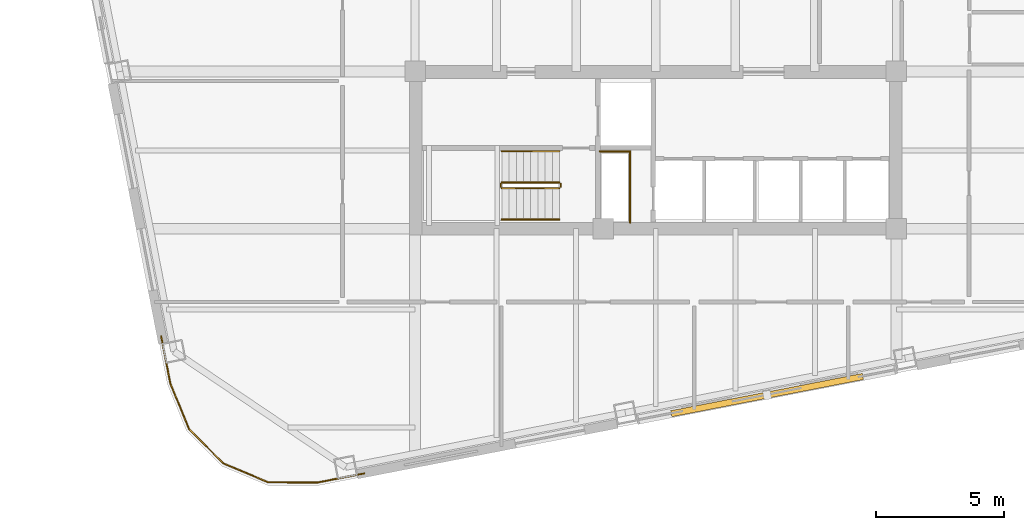
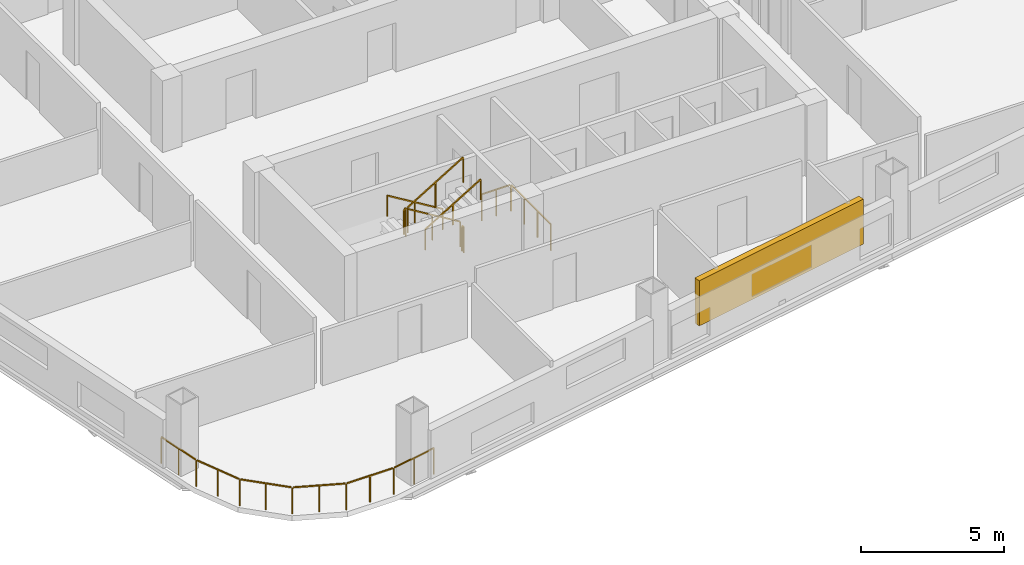
# One storey, part 7 of 9: 8 railings, 1 shading device.
"""IFC4 building model written with IfcOpenShell, lengths in metres."""

from ifc_helpers import new_model, si_unit, direction, frame, origin, origin_2d, place, context, subcontext, project, spatial, rectangle, extrude, material, type_object, element, save


model = new_model("IFC4")

# Units and contexts
model_context = context("Model", 3, precision=1e-05, world=origin(), true_north=direction((0.0, 1.0)))
body_context = subcontext(model_context, "Body", "Model", "MODEL_VIEW")
ifc_project = project(units=[si_unit("LENGTHUNIT", "METRE"), si_unit("AREAUNIT", "SQUARE_METRE"), si_unit("VOLUMEUNIT", "CUBIC_METRE"), si_unit("PLANEANGLEUNIT", "RADIAN"), si_unit("MASSUNIT", "GRAM", prefix="KILO")], contexts=[model_context])

# Site, building, storey
site_placement = place(None, origin())
site = spatial("IfcSite", under=ifc_project, at=site_placement, CompositionType="ELEMENT")
building_placement = place(site_placement, origin())
building = spatial("IfcBuilding", under=site, at=building_placement, Name="Qhalaya Broadcast Tower", CompositionType="ELEMENT")
storey_placement = place(building_placement, frame((0.0, 0.0, 134.14990234375)))
storey = spatial("IfcBuildingStorey", under=building, at=storey_placement, Name="L39", CompositionType="ELEMENT", Elevation=134.14990234375)

# Railings
ifc_material_1 = material(Name="Powder-Coated Galvanised Steel", Category="steel")
railing_type_1 = type_object("IfcRailingType", Name="Stair Wall Handrail 900", PredefinedType="HANDRAIL", material=ifc_material_1)
railing_1_placement = place(storey_placement, frame((-3.75, -5.72998046875, 0.16943359375)))
element("IfcRailing", 1, at=railing_1_placement, inside=storey, type_object=railing_type_1, Name="L39 ST-2 Stair Handrail 1", PredefinedType="HANDRAIL", context=body_context, shape_type="SweptSolid", body=[
    extrude(rectangle(XDim=0.048095703125, YDim=0.048095703125, at=origin_2d()), frame((0.0, 0.0, 0.8759765625), z_axis=(-0.855512035549, 0.0, 0.517782924622), x_axis=(0.0, -1.0, 0.0)), (0.0, 0.0, 1.0), 2.618408203125),
    extrude(rectangle(XDim=0.0419921875, YDim=0.0419921875, at=origin_2d()), origin(), (0.0, 0.0, 1.0), 0.849853515625),
    extrude(rectangle(XDim=0.0419921875, YDim=0.0419921875, at=origin_2d()), frame((-1.1201171875, 0.0, 0.677734375)), (0.0, 0.0, 1.0), 0.849853515625),
    extrude(rectangle(XDim=0.0419921875, YDim=0.0419921875, at=origin_2d()), frame((-2.239990234375, 0.0, 1.355712890625)), (0.0, 0.0, 1.0), 0.849853515625),
])
railing_2_placement = place(storey_placement, frame((-5.989990234375, -8.389892578125, 1.694580078125)))
element("IfcRailing", 2, at=railing_2_placement, inside=storey, type_object=railing_type_1, Name="L39 ST-2 Stair Handrail 2", PredefinedType="HANDRAIL", context=body_context, shape_type="SweptSolid", body=[
    extrude(rectangle(XDim=0.048095703125, YDim=0.048095703125, at=origin_2d()), frame((0.0, 0.0, 0.8759765625), z_axis=(0.855553338991, 0.0, 0.51771467445), x_axis=(0.0, 1.0, 0.0)), (0.0, 0.0, 1.0), 2.6181640625),
    extrude(rectangle(XDim=0.0419921875, YDim=0.0419921875, at=origin_2d()), origin(), (0.0, 0.0, 1.0), 0.849853515625),
    extrude(rectangle(XDim=0.0419921875, YDim=0.0419921875, at=origin_2d()), frame((1.1201171875, 0.0, 0.677734375)), (0.0, 0.0, 1.0), 0.849853515625),
    extrude(rectangle(XDim=0.0419921875, YDim=0.0419921875, at=origin_2d()), frame((2.239990234375, 0.0, 1.35546875)), (0.0, 0.0, 1.0), 0.849853515625),
])
railing_type_2 = type_object("IfcRailingType", Name="Stair Well & Landing Guardrail 1100", PredefinedType="GUARDRAIL", material=ifc_material_1)
railing_3_placement = place(storey_placement, frame((-1.0, -8.52001953125, 0.0)))
element("IfcRailing", 3, at=railing_3_placement, inside=storey, type_object=railing_type_2, Name="L39 Service Riser Opening Safety Guard SRSR", PredefinedType="GUARDRAIL", context=body_context, shape_type="SweptSolid", body=[
    extrude(rectangle(XDim=0.048095703125, YDim=0.048095703125, at=origin_2d()), frame((0.0, 0.0, 1.1259765625), z_axis=(0.0, 1.0, 0.0), x_axis=(-1.0, 0.0, 0.0)), (0.0, 0.0, 1.0), 2.751220703125),
    extrude(rectangle(XDim=0.048095703125, YDim=0.048095703125, at=origin_2d()), frame((-0.02880859375, 2.780029296875, 1.1259765625), z_axis=(-1.0, 0.0, 0.0), x_axis=(0.0, -1.0, 0.0)), (0.0, 0.0, 1.0), 1.151123046875),
    extrude(rectangle(XDim=0.0419921875, YDim=0.0419921875, at=origin_2d()), origin(), (0.0, 0.0, 1.0), 1.099853515625),
    extrude(rectangle(XDim=0.0419921875, YDim=0.0419921875, at=origin_2d()), frame((0.0, 0.9267578125, 0.0)), (0.0, 0.0, 1.0), 1.099853515625),
    extrude(rectangle(XDim=0.0419921875, YDim=0.0419921875, at=origin_2d()), frame((0.0, 1.853271484375, 0.0)), (0.0, 0.0, 1.0), 1.099853515625),
    extrude(rectangle(XDim=0.0419921875, YDim=0.0419921875, at=origin_2d()), frame((0.0, 2.780029296875, 0.0)), (0.0, 0.0, 1.0), 1.099853515625),
    extrude(rectangle(XDim=0.0419921875, YDim=0.0419921875, at=origin_2d()), frame((-0.58984375, 2.780029296875, 0.0)), (0.0, 0.0, 1.0), 1.099853515625),
    extrude(rectangle(XDim=0.0419921875, YDim=0.0419921875, at=origin_2d()), frame((-1.179931640625, 2.780029296875, 0.0)), (0.0, 0.0, 1.0), 1.099853515625),
])
railing_4_placement = place(storey_placement, frame((-3.75, -6.949951171875, 0.16943359375)))
element("IfcRailing", 4, at=railing_4_placement, inside=storey, type_object=railing_type_2, Name="L39 ST-2 Stair Guard 1", PredefinedType="GUARDRAIL", context=body_context, shape_type="SweptSolid", body=[
    extrude(rectangle(XDim=0.048095703125, YDim=0.048095703125, at=origin_2d()), frame((0.0, 0.0, 1.076171875), z_axis=(-0.855512035549, 0.0, 0.517782924622), x_axis=(0.0, -1.0, 0.0)), (0.0, 0.0, 1.0), 2.618408203125),
    extrude(rectangle(XDim=0.0419921875, YDim=0.0419921875, at=origin_2d()), origin(), (0.0, 0.0, 1.0), 1.050048828125),
    extrude(rectangle(XDim=0.0419921875, YDim=0.0419921875, at=origin_2d()), frame((-1.1201171875, 0.0, 0.677734375)), (0.0, 0.0, 1.0), 1.050048828125),
    extrude(rectangle(XDim=0.0419921875, YDim=0.0419921875, at=origin_2d()), frame((-2.239990234375, 0.0, 1.355712890625)), (0.0, 0.0, 1.0), 1.050048828125),
])
railing_5_placement = place(storey_placement, frame((-6.0400390625, -7.0, 1.525146484375)))
element("IfcRailing", 5, at=railing_5_placement, inside=storey, type_object=railing_type_2, Name="L39 ST-2 Stair Guard 2", PredefinedType="GUARDRAIL", context=body_context, shape_type="SweptSolid", body=[
    extrude(rectangle(XDim=0.048095703125, YDim=0.048095703125, at=origin_2d()), frame((0.0, 0.0, 1.076171875), z_axis=(0.0, -1.0, 0.0), x_axis=(1.0, 0.0, 0.0)), (0.0, 0.0, 1.0), 0.1201171875),
    extrude(rectangle(XDim=0.0419921875, YDim=0.0419921875, at=origin_2d()), origin(), (0.0, 0.0, 1.0), 1.050048828125),
    extrude(rectangle(XDim=0.0419921875, YDim=0.0419921875, at=origin_2d()), frame((0.0, -0.1201171875, 0.0)), (0.0, 0.0, 1.0), 1.050048828125),
])
railing_6_placement = place(storey_placement, frame((-5.989990234375, -7.169921875, 1.694580078125)))
element("IfcRailing", 6, at=railing_6_placement, inside=storey, type_object=railing_type_2, Name="L39 ST-2 Stair Guard 3", PredefinedType="GUARDRAIL", context=body_context, shape_type="SweptSolid", body=[
    extrude(rectangle(XDim=0.048095703125, YDim=0.048095703125, at=origin_2d()), frame((0.0, 0.0, 1.076171875), z_axis=(0.855553338991, 0.0, 0.51771467445), x_axis=(0.0, 1.0, 0.0)), (0.0, 0.0, 1.0), 2.6181640625),
    extrude(rectangle(XDim=0.0419921875, YDim=0.0419921875, at=origin_2d()), origin(), (0.0, 0.0, 1.0), 1.050048828125),
    extrude(rectangle(XDim=0.0419921875, YDim=0.0419921875, at=origin_2d()), frame((1.1201171875, 0.0, 0.677734375)), (0.0, 0.0, 1.0), 1.050048828125),
    extrude(rectangle(XDim=0.0419921875, YDim=0.0419921875, at=origin_2d()), frame((2.239990234375, 0.0, 1.35546875)), (0.0, 0.0, 1.0), 1.050048828125),
])
railing_7_placement = place(storey_placement, frame((-3.699951171875, -7.0, 0.0)))
element("IfcRailing", 7, at=railing_7_placement, inside=storey, type_object=railing_type_2, Name="L39 ST-2 Stair Guard 4", PredefinedType="GUARDRAIL", context=body_context, shape_type="SweptSolid", body=[
    extrude(rectangle(XDim=0.048095703125, YDim=0.048095703125, at=origin_2d()), frame((0.0, 0.0, 1.076171875), z_axis=(0.0, -1.0, 0.0), x_axis=(1.0, 0.0, 0.0)), (0.0, 0.0, 1.0), 0.1201171875),
    extrude(rectangle(XDim=0.0419921875, YDim=0.0419921875, at=origin_2d()), origin(), (0.0, 0.0, 1.0), 1.050048828125),
    extrude(rectangle(XDim=0.0419921875, YDim=0.0419921875, at=origin_2d()), frame((0.0, -0.1201171875, 0.0)), (0.0, 0.0, 1.0), 1.050048828125),
])
railing_type_3 = type_object("IfcRailingType", Name="Terrace, Sky-Pool & Lookout Glass Balustrade 1150", PredefinedType="BALUSTRADE", material=ifc_material_1)
railing_8_placement = place(storey_placement, frame((-11.351318359375, -18.281982421875, 0.0)))
element("IfcRailing", 8, at=railing_8_placement, inside=storey, type_object=railing_type_3, Name="L39 Rounded Corner Perimeter Guard 02", PredefinedType="BALUSTRADE", context=body_context, shape_type="SweptSolid", body=[
    extrude(rectangle(XDim=0.048095703125, YDim=0.048095703125, at=origin_2d()), frame((0.0, 0.0, 1.1259765625), z_axis=(-0.981643446311, -0.190725311155, 0.0), x_axis=(0.190725311155, -0.981643446311, 0.0)), (0.0, 0.0, 1.0), 1.8271484375),
    extrude(rectangle(XDim=0.048095703125, YDim=0.048095703125, at=origin_2d()), frame((-1.850830078125, -0.353759765625, 1.1259765625), z_axis=(-0.999990606087, 0.004334482484, 0.0), x_axis=(-0.004334482484, -0.999990606087, 0.0)), (0.0, 0.0, 1.0), 1.857421875),
    extrude(rectangle(XDim=0.048095703125, YDim=0.048095703125, at=origin_2d()), frame((-3.763671875, -0.33447265625, 1.1259765625), z_axis=(-0.922247496545, 0.386599993684, 0.0), x_axis=(-0.386599993684, -0.922247496545, 0.0)), (0.0, 0.0, 1.0), 1.845703125),
    extrude(rectangle(XDim=0.048095703125, YDim=0.048095703125, at=origin_2d()), frame((-5.5126953125, 0.41064453125, 1.1259765625), z_axis=(-0.704021268228, 0.710178888649, 0.0), x_axis=(-0.710178888649, -0.704021268228, 0.0)), (0.0, 0.0, 1.0), 1.845458984375),
    extrude(rectangle(XDim=0.048095703125, YDim=0.048095703125, at=origin_2d()), frame((-6.84326171875, 1.768310546875, 1.1259765625), z_axis=(-0.378588174109, 0.925565229698, 0.0), x_axis=(-0.925565229698, -0.378588174109, 0.0)), (0.0, 0.0, 1.0), 1.857666015625),
    extrude(rectangle(XDim=0.048095703125, YDim=0.048095703125, at=origin_2d()), frame((-7.56298828125, 3.542724609375, 1.1259765625), z_axis=(-0.190725311155, 0.981643446311, 0.0), x_axis=(-0.981643446311, -0.190725311155, 0.0)), (0.0, 0.0, 1.0), 1.8271484375),
    extrude(rectangle(XDim=0.0419921875, YDim=0.0419921875, at=origin_2d()), origin(), (0.0, 0.0, 1.0), 1.099853515625),
    extrude(rectangle(XDim=0.0419921875, YDim=0.0419921875, at=origin_2d()), frame((-0.9111328125, -0.177001953125, 0.0)), (0.0, 0.0, 1.0), 1.099853515625),
    extrude(rectangle(XDim=0.0419921875, YDim=0.0419921875, at=origin_2d()), frame((-1.822021484375, -0.35400390625, 0.0)), (0.0, 0.0, 1.0), 1.099853515625),
    extrude(rectangle(XDim=0.0419921875, YDim=0.0419921875, at=origin_2d()), frame((-2.779541015625, -0.349853515625, 0.0)), (0.0, 0.0, 1.0), 1.099853515625),
    extrude(rectangle(XDim=0.0419921875, YDim=0.0419921875, at=origin_2d()), frame((-3.737060546875, -0.345703125, 0.0)), (0.0, 0.0, 1.0), 1.099853515625),
    extrude(rectangle(XDim=0.0419921875, YDim=0.0419921875, at=origin_2d()), frame((-4.61474609375, 0.022216796875, 0.0)), (0.0, 0.0, 1.0), 1.099853515625),
    extrude(rectangle(XDim=0.0419921875, YDim=0.0419921875, at=origin_2d()), frame((-5.492431640625, 0.39013671875, 0.0)), (0.0, 0.0, 1.0), 1.099853515625),
    extrude(rectangle(XDim=0.0419921875, YDim=0.0419921875, at=origin_2d()), frame((-6.162353515625, 1.06591796875, 0.0)), (0.0, 0.0, 1.0), 1.099853515625),
    extrude(rectangle(XDim=0.0419921875, YDim=0.0419921875, at=origin_2d()), frame((-6.832275390625, 1.74169921875, 0.0)), (0.0, 0.0, 1.0), 1.099853515625),
    extrude(rectangle(XDim=0.0419921875, YDim=0.0419921875, at=origin_2d()), frame((-7.19482421875, 2.6279296875, 0.0)), (0.0, 0.0, 1.0), 1.099853515625),
    extrude(rectangle(XDim=0.0419921875, YDim=0.0419921875, at=origin_2d()), frame((-7.557373046875, 3.514404296875, 0.0)), (0.0, 0.0, 1.0), 1.099853515625),
    extrude(rectangle(XDim=0.0419921875, YDim=0.0419921875, at=origin_2d()), frame((-7.734375, 4.42529296875, 0.0)), (0.0, 0.0, 1.0), 1.099853515625),
    extrude(rectangle(XDim=0.0419921875, YDim=0.0419921875, at=origin_2d()), frame((-7.911376953125, 5.33642578125, 0.0)), (0.0, 0.0, 1.0), 1.099853515625),
])

# Shading device
ifc_material_2 = material(Name="Fired Architectural Terracotta", Category="masonry")
shading_device_type = type_object("IfcShadingDeviceType", Name="Terracotta Baguette Solar Screen Assembly TBS-01", PredefinedType="USERDEFINED", material=ifc_material_2)
shading_device_placement = place(storey_placement, frame((4.337158203125, -15.232421875, 0.79248046875), z_axis=(0.0, 0.0, 1.0), x_axis=(0.981627183448, 0.190808995377, 0.0)))
element("IfcShadingDevice", 9, at=shading_device_placement, inside=storey, type_object=shading_device_type, Name="L39 Fired Terracotta Baguette Screen S", ObjectType="BAGUETTE", PredefinedType="USERDEFINED", context=body_context, shape_type="SweptSolid", body=[
    extrude(rectangle(XDim=7.60009765625, YDim=0.239990234375, at=origin_2d()), origin(), (0.0, 0.0, 1.0), 1.924072265625),
])

save(model, "model.ifc")
